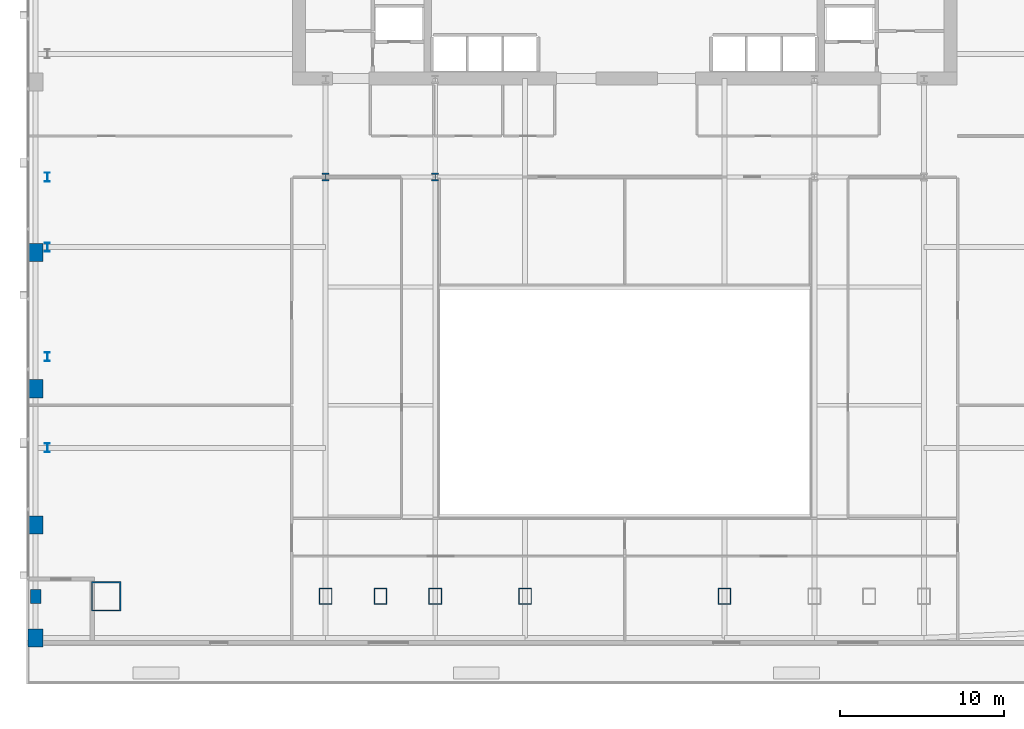
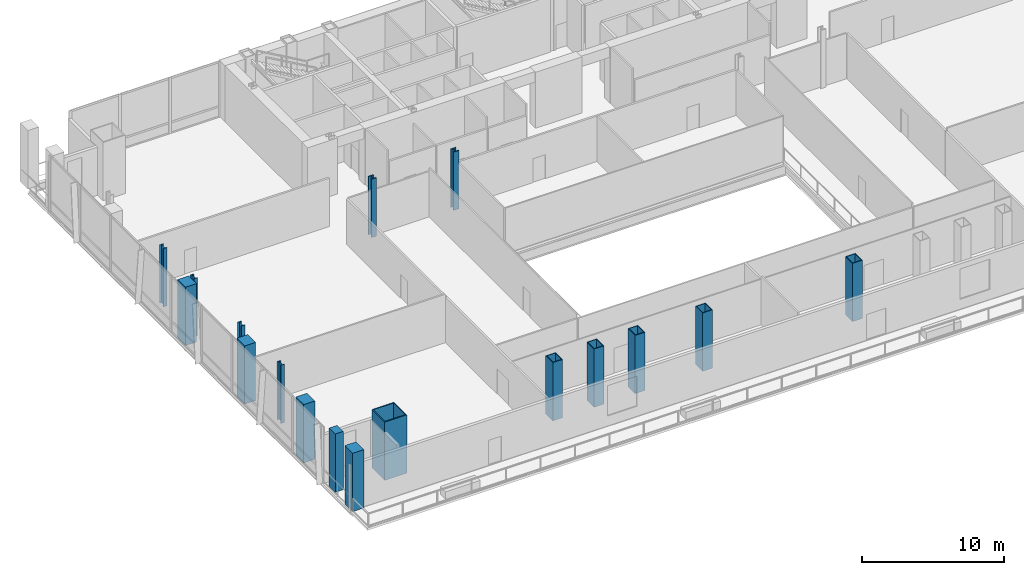
# One storey, part 1 of 26: 17 columns.
"""IFC4 building model written with IfcOpenShell, lengths in metres."""

from ifc_helpers import new_model, si_unit, direction, frame, origin, origin_2d, place, context, subcontext, project, spatial, rectangle, hollow_rectangle, i_section, extrude, material, material_profile, profile_set, type_object, element, save


model = new_model("IFC4")

# Units and contexts
model_context = context("Model", 3, precision=1e-05, world=origin(), true_north=direction((0.0, 1.0)))
body_context = subcontext(model_context, "Body", "Model", "MODEL_VIEW")
ifc_project = project(units=[si_unit("LENGTHUNIT", "METRE"), si_unit("AREAUNIT", "SQUARE_METRE"), si_unit("VOLUMEUNIT", "CUBIC_METRE"), si_unit("PLANEANGLEUNIT", "RADIAN"), si_unit("MASSUNIT", "GRAM", prefix="KILO")], contexts=[model_context])

# Site, building, storey
site_placement = place(None, origin())
site = spatial("IfcSite", under=ifc_project, at=site_placement, CompositionType="ELEMENT")
building_placement = place(site_placement, origin())
building = spatial("IfcBuilding", under=site, at=building_placement, Name="Khoronbel Lancet Exchange", CompositionType="ELEMENT")
storey_placement = place(building_placement, frame((0.0, 0.0, 5.39990234375)))
storey = spatial("IfcBuildingStorey", under=building, at=storey_placement, Name="L01", CompositionType="ELEMENT", Elevation=5.39990234375)

# Columns
ifc_material_1 = material(Name="Steel S460", Category="steel")
ifc_material_profile_1 = material_profile(ifc_material_1, hollow_rectangle(XDim=0.800048828125, YDim=1.0, WallThickness=0.054931640625, at=origin_2d()), Name="BOX 1000x800x55")
ifc_profile_set_1 = profile_set([ifc_material_profile_1], Name="Steel S460")
column_type_1 = type_object("IfcColumnType", Name="COL-EC1", PredefinedType="COLUMN", material=ifc_profile_set_1)
for number, where, z_axis, x_axis, name in (
    (1, (18.22509765625, 10.14990234375, 0.0), (0.0, 0.0, 1.0), (1.0, 0.0, 0.0), "Structural column SC-W1 L01"),
    (2, (21.5625, 10.14990234375, 0.0), (0.0, 0.0, 1.0), (1.0, 0.0, 0.0), "Structural column SC-WM L01"),
    (3, (24.89990234375, 10.14990234375, 0.0), (0.0, 0.0, 1.0), (1.0, 0.0, 0.0), "Structural column SC-W2 L01"),
    (4, (30.375, 10.14990234375, 0.0), (0.0, 0.0, 1.0), (1.0, 0.0, 0.0), "Structural column SC-C1 L01"),
    (5, (42.52490234375, 10.14990234375, 0.0), (0.0, 0.0, 1.0), (1.0, 0.0, 0.0), "Structural column SC-C2 L01"),
):
    element("IfcColumn", number, at=place(storey_placement, frame(where, z_axis=z_axis, x_axis=x_axis)), inside=storey, type_object=column_type_1, Name=name, PredefinedType="COLUMN", context=body_context, shape_type="SweptSolid", body=[
        extrude(hollow_rectangle(XDim=0.800048828125, YDim=1.0, WallThickness=0.054931640625, at=origin_2d()), origin(), (0.0, 0.0, 1.0), 5.0),
    ])
ifc_material_profile_2 = material_profile(ifc_material_1, i_section(OverallWidth=0.424072265625, OverallDepth=0.47412109375, WebThickness=0.047607421875, FlangeThickness=0.076904296875, at=origin_2d()), Name="HD 400x634")
ifc_profile_set_2 = profile_set([ifc_material_profile_2], Name="Steel S460")
column_type_2 = type_object("IfcColumnType", Name="COL-IC1", PredefinedType="COLUMN", material=ifc_profile_set_2)
for number, where, z_axis, x_axis, name in (
    (6, (18.22509765625, 35.699951171875, 0.0), (0.0, 0.0, 1.0), (1.0, 0.0, 0.0), "Spine gravity column TC1 L01"),
    (7, (24.89990234375, 35.699951171875, 0.0), (0.0, 0.0, 1.0), (1.0, 0.0, 0.0), "Spine gravity column TC2 L01"),
):
    element("IfcColumn", number, at=place(storey_placement, frame(where, z_axis=z_axis, x_axis=x_axis)), inside=storey, type_object=column_type_2, Name=name, PredefinedType="COLUMN", context=body_context, shape_type="SweptSolid", body=[
        extrude(i_section(OverallWidth=0.424072265625, OverallDepth=0.47412109375, WebThickness=0.047607421875, FlangeThickness=0.076904296875, at=origin_2d()), origin(), (0.0, 0.0, 1.0), 5.0),
    ])
ifc_material_2 = material(Name="Steel S355", Category="steel")
ifc_material_profile_3 = material_profile(ifc_material_2, i_section(OverallWidth=0.300048828125, OverallDepth=0.550048828125, WebThickness=0.014892578125, FlangeThickness=0.029052734375, at=origin_2d()), Name="HEB 550")
ifc_profile_set_3 = profile_set([ifc_material_profile_3], Name="Steel S355")
column_type_3 = type_object("IfcColumnType", Name="COL-LC1", PredefinedType="COLUMN", material=ifc_profile_set_3)
for number, where, z_axis, x_axis, name in (
    (8, (1.27001953125, 19.199951171875, 0.0), (0.0, 0.0, 1.0), (1.0, 0.0, 0.0), "Structural column WC-1 L01"),
    (9, (1.27001953125, 24.75, 0.0), (0.0, 0.0, 1.0), (1.0, 0.0, 0.0), "Structural column WC-2 L01"),
    (10, (1.27001953125, 31.425048828125, 0.0), (0.0, 0.0, 1.0), (1.0, 0.0, 0.0), "Structural column WC-M L01"),
    (11, (1.27001953125, 35.699951171875, 0.0), (0.0, 0.0, 1.0), (1.0, 0.0, 0.0), "Structural column WC-3 L01"),
):
    element("IfcColumn", number, at=place(storey_placement, frame(where, z_axis=z_axis, x_axis=x_axis)), inside=storey, type_object=column_type_3, Name=name, PredefinedType="COLUMN", context=body_context, shape_type="SweptSolid", body=[
        extrude(i_section(OverallWidth=0.300048828125, OverallDepth=0.550048828125, WebThickness=0.014892578125, FlangeThickness=0.029052734375, at=origin_2d()), origin(), (0.0, 0.0, 1.0), 5.0),
    ])
ifc_material_profile_4 = material_profile(ifc_material_1, hollow_rectangle(XDim=1.800048828125, YDim=1.800048828125, WallThickness=0.080078125, at=origin_2d()), Name="BOX 1800x1800x80")
ifc_profile_set_4 = profile_set([ifc_material_profile_4], Name="Steel S460")
column_type_4 = type_object("IfcColumnType", Name="COL-MC1", PredefinedType="COLUMN", material=ifc_profile_set_4)
column_1_placement = place(storey_placement, frame((4.85009765625, 10.14990234375, 0.0), z_axis=(0.0, 0.0, 1.0), x_axis=(1.0, 0.0, 0.0)))
element("IfcColumn", 12, at=column_1_placement, inside=storey, type_object=column_type_4, Name="Structural column MC-SW L01", PredefinedType="COLUMN", context=body_context, shape_type="SweptSolid", body=[
    extrude(hollow_rectangle(XDim=1.800048828125, YDim=1.800048828125, WallThickness=0.080078125, at=origin_2d()), origin(), (0.0, 0.0, 1.0), 5.0),
])
ifc_material_3 = material(Name="Concrete C60/75", Category="concrete")
ifc_material_profile_5 = material_profile(ifc_material_3, rectangle(XDim=0.89990234375, YDim=1.10009765625, at=origin_2d()), Name="RC 900x1100")
ifc_profile_set_5 = profile_set([ifc_material_profile_5], Name="Concrete C60/75")
column_type_5 = type_object("IfcColumnType", Name="COL-PIL1", PredefinedType="PILASTER", material=ifc_profile_set_5)
for number, where, z_axis, x_axis, name in (
    (13, (0.550048828125, 7.6201171875, 0.0), (0.0, 0.0, 1.0), (1.0, 0.0, 0.0), "Podium Gothic colonnade pilaster SWP L01"),
    (14, (0.550048828125, 14.5, 0.0), (0.0, 0.0, 1.0), (1.0, 0.0, 0.0), "Podium Gothic colonnade pilaster W1 L01"),
    (15, (0.550048828125, 22.800048828125, 0.0), (0.0, 0.0, 1.0), (1.0, 0.0, 0.0), "Podium Gothic colonnade pilaster W2 L01"),
    (16, (0.550048828125, 31.10009765625, 0.0), (0.0, 0.0, 1.0), (1.0, 0.0, 0.0), "Podium Gothic colonnade pilaster W3 L01"),
):
    element("IfcColumn", number, at=place(storey_placement, frame(where, z_axis=z_axis, x_axis=x_axis)), inside=storey, type_object=column_type_5, Name=name, PredefinedType="PILASTER", context=body_context, shape_type="SweptSolid", body=[
        extrude(rectangle(XDim=0.89990234375, YDim=1.10009765625, at=origin_2d()), origin(), (0.0, 0.0, 1.0), 5.0),
    ])
ifc_material_profile_6 = material_profile(ifc_material_3, rectangle(XDim=0.64990234375, YDim=0.85009765625, at=origin_2d()), Name="RC 650x850")
ifc_profile_set_6 = profile_set([ifc_material_profile_6], Name="Concrete C60/75")
column_type_6 = type_object("IfcColumnType", Name="COL-PIL3", PredefinedType="PILASTER", material=ifc_profile_set_6)
column_2_placement = place(storey_placement, frame((0.550048828125, 10.14990234375, 0.0), z_axis=(0.0, 0.0, 1.0), x_axis=(1.0, 0.0, 0.0)))
element("IfcColumn", 17, at=column_2_placement, inside=storey, type_object=column_type_6, Name="Podium Gothic colonnade pilaster WMC L01", PredefinedType="PILASTER", context=body_context, shape_type="SweptSolid", body=[
    extrude(rectangle(XDim=0.64990234375, YDim=0.85009765625, at=origin_2d()), origin(), (0.0, 0.0, 1.0), 5.0),
])

save(model, "model.ifc")
